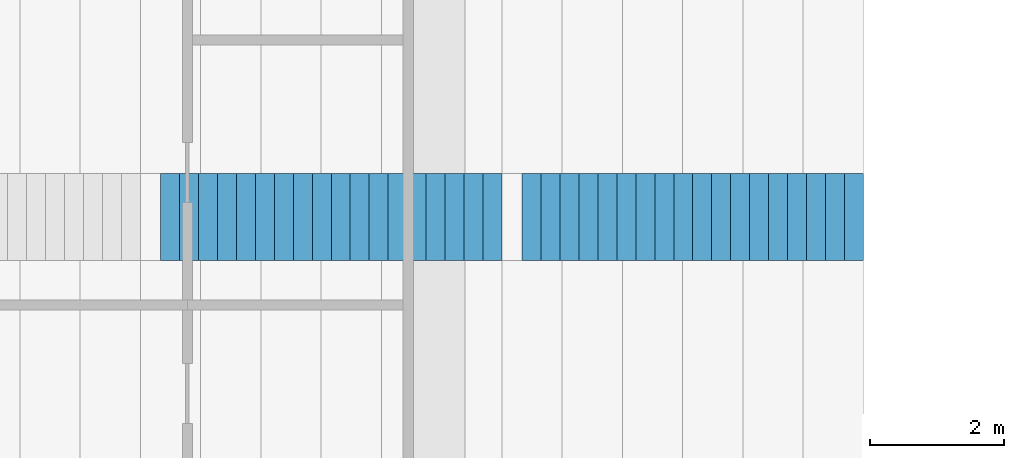
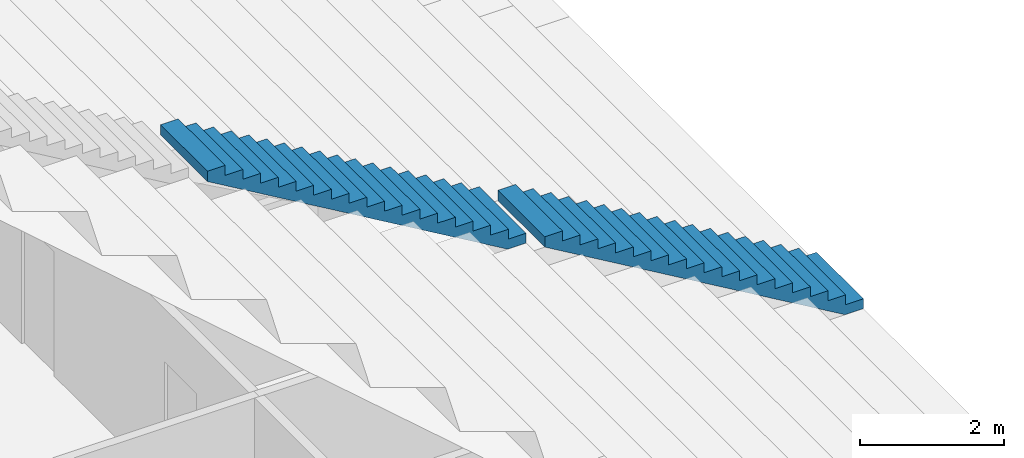
# One storey, part 162 of 249: 2 stair flights, 1 element without a shape of its own.
"""IFC4 building model written with IfcOpenShell, lengths in metres."""

from ifc_helpers import new_model, si_unit, direction, frame, origin, place, context, subcontext, project, spatial, faceted_brep, material, type_object, element, aggregate, save


model = new_model("IFC4")

# Units and contexts
model_context = context("Model", 3, precision=1e-05, world=origin(), true_north=direction((0.0, 1.0)))
body_context = subcontext(model_context, "Body", "Model", "MODEL_VIEW")
ifc_project = project(units=[si_unit("LENGTHUNIT", "METRE"), si_unit("AREAUNIT", "SQUARE_METRE"), si_unit("VOLUMEUNIT", "CUBIC_METRE"), si_unit("PLANEANGLEUNIT", "RADIAN"), si_unit("MASSUNIT", "GRAM", prefix="KILO")], contexts=[model_context])

# Site, building, storey
site_placement = place(None, origin())
site = spatial("IfcSite", under=ifc_project, at=site_placement, CompositionType="ELEMENT")
building_placement = place(site_placement, origin())
building = spatial("IfcBuilding", under=site, at=building_placement, Name="Ogive Plaza Stadium", CompositionType="ELEMENT")
storey_placement = place(building_placement, frame((0.0, 0.0, 13.5)))
storey = spatial("IfcBuildingStorey", under=building, at=storey_placement, Name="L03", CompositionType="ELEMENT", Elevation=13.5)

# Stair, stair flights
ifc_material_1 = material(Name="Concrete C40/50", Category="concrete")
stair_type = type_object("IfcStairType", Name="Aisle stair", PredefinedType="STRAIGHT_RUN_STAIR", material=ifc_material_1)
stair_placement = place(storey_placement, origin())
stair = element("IfcStair", 1, at=stair_placement, inside=storey, type_object=stair_type, Name="Aisle stair SA23U", PredefinedType="STRAIGHT_RUN_STAIR")
ifc_material_2 = material(Name="Concrete C40/50", Category="concrete")
stair_flight_type = type_object("IfcStairFlightType", Name="Aisle stair flight", PredefinedType="STRAIGHT", material=ifc_material_2)
stair_flight_1_placement = place(storey_placement, frame((-55.5, -15.0, 0.5), z_axis=(0.0, 0.0, 1.0), x_axis=(-1.0, 0.0, 0.0)))
stair_flight_1 = element("IfcStairFlight", 2, at=stair_flight_1_placement, type_object=stair_flight_type, Name="SA23U flight 1", NumberOfRisers=18, NumberOfTreads=17, PredefinedType="STRAIGHT", RiserHeight=0.166666667, TreadLength=0.283333333, context=body_context, shape_type="Brep", body=[
    faceted_brep([(0.295654296875, -0.64990234375, 0.0), (5.10009765625, -0.64990234375, 2.826171875), (5.10009765625, -0.64990234375, 3.0), (4.816650390625, -0.64990234375, 3.0), (4.816650390625, -0.64990234375, 2.833251953125), (4.533447265625, -0.64990234375, 2.833251953125), (4.533447265625, -0.64990234375, 2.666748046875), (4.25, -0.64990234375, 2.666748046875), (4.25, -0.64990234375, 2.5), (3.966552734375, -0.64990234375, 2.5), (3.966552734375, -0.64990234375, 2.333251953125), (3.683349609375, -0.64990234375, 2.333251953125), (3.683349609375, -0.64990234375, 2.166748046875), (3.39990234375, -0.64990234375, 2.166748046875), (3.39990234375, -0.64990234375, 2.0), (3.11669921875, -0.64990234375, 2.0), (3.11669921875, -0.64990234375, 1.833251953125), (2.833251953125, -0.64990234375, 1.833251953125), (2.833251953125, -0.64990234375, 1.666748046875), (2.550048828125, -0.64990234375, 1.666748046875), (2.550048828125, -0.64990234375, 1.5), (2.2666015625, -0.64990234375, 1.5), (2.2666015625, -0.64990234375, 1.333251953125), (1.9833984375, -0.64990234375, 1.333251953125), (1.9833984375, -0.64990234375, 1.166748046875), (1.699951171875, -0.64990234375, 1.166748046875), (1.699951171875, -0.64990234375, 1.0), (1.416748046875, -0.64990234375, 1.0), (1.416748046875, -0.64990234375, 0.833251953125), (1.13330078125, -0.64990234375, 0.833251953125), (1.13330078125, -0.64990234375, 0.666748046875), (0.85009765625, -0.64990234375, 0.666748046875), (0.85009765625, -0.64990234375, 0.5), (0.566650390625, -0.64990234375, 0.5), (0.566650390625, -0.64990234375, 0.333251953125), (0.283447265625, -0.64990234375, 0.333251953125), (0.283447265625, -0.64990234375, 0.166748046875), (0.0, -0.64990234375, 0.166748046875), (0.0, -0.64990234375, 0.0), (0.0, 0.64990234375, 0.0), (0.0, 0.64990234375, 0.166748046875), (0.283447265625, 0.64990234375, 0.166748046875), (0.283447265625, 0.64990234375, 0.333251953125), (0.566650390625, 0.64990234375, 0.333251953125), (0.566650390625, 0.64990234375, 0.5), (0.85009765625, 0.64990234375, 0.5), (0.85009765625, 0.64990234375, 0.666748046875), (1.13330078125, 0.64990234375, 0.666748046875), (1.13330078125, 0.64990234375, 0.833251953125), (1.416748046875, 0.64990234375, 0.833251953125), (1.416748046875, 0.64990234375, 1.0), (1.699951171875, 0.64990234375, 1.0), (1.699951171875, 0.64990234375, 1.166748046875), (1.9833984375, 0.64990234375, 1.166748046875), (1.9833984375, 0.64990234375, 1.333251953125), (2.2666015625, 0.64990234375, 1.333251953125), (2.2666015625, 0.64990234375, 1.5), (2.550048828125, 0.64990234375, 1.5), (2.550048828125, 0.64990234375, 1.666748046875), (2.833251953125, 0.64990234375, 1.666748046875), (2.833251953125, 0.64990234375, 1.833251953125), (3.11669921875, 0.64990234375, 1.833251953125), (3.11669921875, 0.64990234375, 2.0), (3.39990234375, 0.64990234375, 2.0), (3.39990234375, 0.64990234375, 2.166748046875), (3.683349609375, 0.64990234375, 2.166748046875), (3.683349609375, 0.64990234375, 2.333251953125), (3.966552734375, 0.64990234375, 2.333251953125), (3.966552734375, 0.64990234375, 2.5), (4.25, 0.64990234375, 2.5), (4.25, 0.64990234375, 2.666748046875), (4.533447265625, 0.64990234375, 2.666748046875), (4.533447265625, 0.64990234375, 2.833251953125), (4.816650390625, 0.64990234375, 2.833251953125), (4.816650390625, 0.64990234375, 3.0), (5.10009765625, 0.64990234375, 3.0), (5.10009765625, 0.64990234375, 2.826171875), (0.295654296875, 0.64990234375, 0.0), (0.295654296875, -0.324951171875, 0.0), (5.10009765625, -0.324951171875, 2.826171875), (0.295654296875, 0.0, 0.0), (5.10009765625, 0.0, 2.826171875), (0.295654296875, 0.324951171875, 0.0), (5.10009765625, 0.324951171875, 2.826171875), (5.10009765625, -0.324951171875, 3.0), (5.10009765625, 0.0, 3.0), (5.10009765625, 0.324951171875, 3.0), (4.816650390625, -0.324951171875, 3.0), (4.816650390625, 0.0, 3.0), (4.816650390625, 0.324951171875, 3.0), (4.816650390625, -0.324951171875, 2.833251953125), (4.816650390625, 0.0, 2.833251953125), (4.816650390625, 0.324951171875, 2.833251953125), (4.533447265625, -0.324951171875, 2.833251953125), (4.533447265625, 0.0, 2.833251953125), (4.533447265625, 0.324951171875, 2.833251953125), (4.533447265625, -0.324951171875, 2.666748046875), (4.533447265625, 0.0, 2.666748046875), (4.533447265625, 0.324951171875, 2.666748046875), (4.25, -0.324951171875, 2.666748046875), (4.25, 0.0, 2.666748046875), (4.25, 0.324951171875, 2.666748046875), (4.25, -0.324951171875, 2.5), (4.25, 0.0, 2.5), (4.25, 0.324951171875, 2.5), (3.966552734375, -0.324951171875, 2.5), (3.966552734375, 0.0, 2.5), (3.966552734375, 0.324951171875, 2.5), (3.966552734375, -0.324951171875, 2.333251953125), (3.966552734375, 0.0, 2.333251953125), (3.966552734375, 0.324951171875, 2.333251953125), (3.683349609375, -0.324951171875, 2.333251953125), (3.683349609375, 0.0, 2.333251953125), (3.683349609375, 0.324951171875, 2.333251953125), (3.683349609375, -0.324951171875, 2.166748046875), (3.683349609375, 0.0, 2.166748046875), (3.683349609375, 0.324951171875, 2.166748046875), (3.39990234375, -0.324951171875, 2.166748046875), (3.39990234375, 0.0, 2.166748046875), (3.39990234375, 0.324951171875, 2.166748046875), (3.39990234375, -0.324951171875, 2.0), (3.39990234375, 0.0, 2.0), (3.39990234375, 0.324951171875, 2.0), (3.11669921875, -0.324951171875, 2.0), (3.11669921875, 0.0, 2.0), (3.11669921875, 0.324951171875, 2.0), (3.11669921875, -0.324951171875, 1.833251953125), (3.11669921875, 0.0, 1.833251953125), (3.11669921875, 0.324951171875, 1.833251953125), (2.833251953125, -0.324951171875, 1.833251953125), (2.833251953125, 0.0, 1.833251953125), (2.833251953125, 0.324951171875, 1.833251953125), (2.833251953125, -0.324951171875, 1.666748046875), (2.833251953125, 0.0, 1.666748046875), (2.833251953125, 0.324951171875, 1.666748046875), (2.550048828125, -0.324951171875, 1.666748046875), (2.550048828125, 0.0, 1.666748046875), (2.550048828125, 0.324951171875, 1.666748046875), (2.550048828125, -0.324951171875, 1.5), (2.550048828125, 0.0, 1.5), (2.550048828125, 0.324951171875, 1.5), (2.2666015625, -0.324951171875, 1.5), (2.2666015625, 0.0, 1.5), (2.2666015625, 0.324951171875, 1.5), (2.2666015625, -0.324951171875, 1.333251953125), (2.2666015625, 0.0, 1.333251953125), (2.2666015625, 0.324951171875, 1.333251953125), (1.9833984375, -0.324951171875, 1.333251953125), (1.9833984375, 0.0, 1.333251953125), (1.9833984375, 0.324951171875, 1.333251953125), (1.9833984375, -0.324951171875, 1.166748046875), (1.9833984375, 0.0, 1.166748046875), (1.9833984375, 0.324951171875, 1.166748046875), (1.699951171875, -0.324951171875, 1.166748046875), (1.699951171875, 0.0, 1.166748046875), (1.699951171875, 0.324951171875, 1.166748046875), (1.699951171875, -0.324951171875, 1.0), (1.699951171875, 0.0, 1.0), (1.699951171875, 0.324951171875, 1.0), (1.416748046875, -0.324951171875, 1.0), (1.416748046875, 0.0, 1.0), (1.416748046875, 0.324951171875, 1.0), (1.416748046875, -0.324951171875, 0.833251953125), (1.416748046875, 0.0, 0.833251953125), (1.416748046875, 0.324951171875, 0.833251953125), (1.13330078125, -0.324951171875, 0.833251953125), (1.13330078125, 0.0, 0.833251953125), (1.13330078125, 0.324951171875, 0.833251953125), (1.13330078125, -0.324951171875, 0.666748046875), (1.13330078125, 0.0, 0.666748046875), (1.13330078125, 0.324951171875, 0.666748046875), (0.85009765625, -0.324951171875, 0.666748046875), (0.85009765625, 0.0, 0.666748046875), (0.85009765625, 0.324951171875, 0.666748046875), (0.85009765625, -0.324951171875, 0.5), (0.85009765625, 0.0, 0.5), (0.85009765625, 0.324951171875, 0.5), (0.566650390625, -0.324951171875, 0.5), (0.566650390625, 0.0, 0.5), (0.566650390625, 0.324951171875, 0.5), (0.566650390625, -0.324951171875, 0.333251953125), (0.566650390625, 0.0, 0.333251953125), (0.566650390625, 0.324951171875, 0.333251953125), (0.283447265625, -0.324951171875, 0.333251953125), (0.283447265625, 0.0, 0.333251953125), (0.283447265625, 0.324951171875, 0.333251953125), (0.283447265625, -0.324951171875, 0.166748046875), (0.283447265625, 0.0, 0.166748046875), (0.283447265625, 0.324951171875, 0.166748046875), (0.0, -0.324951171875, 0.166748046875), (0.0, 0.0, 0.166748046875), (0.0, 0.324951171875, 0.166748046875), (0.0, -0.324951171875, 0.0), (0.0, 0.0, 0.0), (0.0, 0.324951171875, 0.0)], [[[0, 1, 2, 3, 4, 5, 6, 7, 8, 9, 10, 11, 12, 13, 14, 15, 16, 17, 18, 19, 20, 21, 22, 23, 24, 25, 26, 27, 28, 29, 30, 31, 32, 33, 34, 35, 36, 37, 38]], [[39, 40, 41, 42, 43, 44, 45, 46, 47, 48, 49, 50, 51, 52, 53, 54, 55, 56, 57, 58, 59, 60, 61, 62, 63, 64, 65, 66, 67, 68, 69, 70, 71, 72, 73, 74, 75, 76, 77]], [[0, 78, 79, 1]], [[78, 80, 81, 79]], [[80, 82, 83, 81]], [[82, 77, 76, 83]], [[1, 79, 84, 2]], [[79, 81, 85, 84]], [[81, 83, 86, 85]], [[83, 76, 75, 86]], [[2, 84, 87, 3]], [[84, 85, 88, 87]], [[85, 86, 89, 88]], [[86, 75, 74, 89]], [[3, 87, 90, 4]], [[87, 88, 91, 90]], [[88, 89, 92, 91]], [[89, 74, 73, 92]], [[4, 90, 93, 5]], [[90, 91, 94, 93]], [[91, 92, 95, 94]], [[92, 73, 72, 95]], [[5, 93, 96, 6]], [[93, 94, 97, 96]], [[94, 95, 98, 97]], [[95, 72, 71, 98]], [[6, 96, 99, 7]], [[96, 97, 100, 99]], [[97, 98, 101, 100]], [[98, 71, 70, 101]], [[7, 99, 102, 8]], [[99, 100, 103, 102]], [[100, 101, 104, 103]], [[101, 70, 69, 104]], [[8, 102, 105, 9]], [[102, 103, 106, 105]], [[103, 104, 107, 106]], [[104, 69, 68, 107]], [[9, 105, 108, 10]], [[105, 106, 109, 108]], [[106, 107, 110, 109]], [[107, 68, 67, 110]], [[10, 108, 111, 11]], [[108, 109, 112, 111]], [[109, 110, 113, 112]], [[110, 67, 66, 113]], [[11, 111, 114, 12]], [[111, 112, 115, 114]], [[112, 113, 116, 115]], [[113, 66, 65, 116]], [[12, 114, 117, 13]], [[114, 115, 118, 117]], [[115, 116, 119, 118]], [[116, 65, 64, 119]], [[13, 117, 120, 14]], [[117, 118, 121, 120]], [[118, 119, 122, 121]], [[119, 64, 63, 122]], [[14, 120, 123, 15]], [[120, 121, 124, 123]], [[121, 122, 125, 124]], [[122, 63, 62, 125]], [[15, 123, 126, 16]], [[123, 124, 127, 126]], [[124, 125, 128, 127]], [[125, 62, 61, 128]], [[16, 126, 129, 17]], [[126, 127, 130, 129]], [[127, 128, 131, 130]], [[128, 61, 60, 131]], [[17, 129, 132, 18]], [[129, 130, 133, 132]], [[130, 131, 134, 133]], [[131, 60, 59, 134]], [[18, 132, 135, 19]], [[132, 133, 136, 135]], [[133, 134, 137, 136]], [[134, 59, 58, 137]], [[19, 135, 138, 20]], [[135, 136, 139, 138]], [[136, 137, 140, 139]], [[137, 58, 57, 140]], [[20, 138, 141, 21]], [[138, 139, 142, 141]], [[139, 140, 143, 142]], [[140, 57, 56, 143]], [[21, 141, 144, 22]], [[141, 142, 145, 144]], [[142, 143, 146, 145]], [[143, 56, 55, 146]], [[22, 144, 147, 23]], [[144, 145, 148, 147]], [[145, 146, 149, 148]], [[146, 55, 54, 149]], [[23, 147, 150, 24]], [[147, 148, 151, 150]], [[148, 149, 152, 151]], [[149, 54, 53, 152]], [[24, 150, 153, 25]], [[150, 151, 154, 153]], [[151, 152, 155, 154]], [[152, 53, 52, 155]], [[25, 153, 156, 26]], [[153, 154, 157, 156]], [[154, 155, 158, 157]], [[155, 52, 51, 158]], [[26, 156, 159, 27]], [[156, 157, 160, 159]], [[157, 158, 161, 160]], [[158, 51, 50, 161]], [[27, 159, 162, 28]], [[159, 160, 163, 162]], [[160, 161, 164, 163]], [[161, 50, 49, 164]], [[28, 162, 165, 29]], [[162, 163, 166, 165]], [[163, 164, 167, 166]], [[164, 49, 48, 167]], [[29, 165, 168, 30]], [[165, 166, 169, 168]], [[166, 167, 170, 169]], [[167, 48, 47, 170]], [[30, 168, 171, 31]], [[168, 169, 172, 171]], [[169, 170, 173, 172]], [[170, 47, 46, 173]], [[31, 171, 174, 32]], [[171, 172, 175, 174]], [[172, 173, 176, 175]], [[173, 46, 45, 176]], [[32, 174, 177, 33]], [[174, 175, 178, 177]], [[175, 176, 179, 178]], [[176, 45, 44, 179]], [[33, 177, 180, 34]], [[177, 178, 181, 180]], [[178, 179, 182, 181]], [[179, 44, 43, 182]], [[34, 180, 183, 35]], [[180, 181, 184, 183]], [[181, 182, 185, 184]], [[182, 43, 42, 185]], [[35, 183, 186, 36]], [[183, 184, 187, 186]], [[184, 185, 188, 187]], [[185, 42, 41, 188]], [[36, 186, 189, 37]], [[186, 187, 190, 189]], [[187, 188, 191, 190]], [[188, 41, 40, 191]], [[37, 189, 192, 38]], [[189, 190, 193, 192]], [[190, 191, 194, 193]], [[191, 40, 39, 194]], [[38, 192, 78, 0]], [[192, 193, 80, 78]], [[193, 194, 82, 80]], [[194, 39, 77, 82]]]),
])
stair_flight_2_placement = place(storey_placement, frame((-60.89990234375, -15.0, 3.5), z_axis=(0.0, 0.0, 1.0), x_axis=(-1.0, 0.0, 0.0)))
stair_flight_2 = element("IfcStairFlight", 3, at=stair_flight_2_placement, type_object=stair_flight_type, Name="SA23U flight 2", NumberOfRisers=18, NumberOfTreads=17, PredefinedType="STRAIGHT", RiserHeight=0.166666667, TreadLength=0.283333333, context=body_context, shape_type="Brep", body=[
    faceted_brep([(0.295654296875, -0.64990234375, 0.0), (5.10009765625, -0.64990234375, 2.826171875), (5.10009765625, -0.64990234375, 3.0), (4.816650390625, -0.64990234375, 3.0), (4.816650390625, -0.64990234375, 2.833251953125), (4.533447265625, -0.64990234375, 2.833251953125), (4.533447265625, -0.64990234375, 2.666748046875), (4.25, -0.64990234375, 2.666748046875), (4.25, -0.64990234375, 2.5), (3.966552734375, -0.64990234375, 2.5), (3.966552734375, -0.64990234375, 2.333251953125), (3.683349609375, -0.64990234375, 2.333251953125), (3.683349609375, -0.64990234375, 2.166748046875), (3.39990234375, -0.64990234375, 2.166748046875), (3.39990234375, -0.64990234375, 2.0), (3.11669921875, -0.64990234375, 2.0), (3.11669921875, -0.64990234375, 1.833251953125), (2.833251953125, -0.64990234375, 1.833251953125), (2.833251953125, -0.64990234375, 1.666748046875), (2.550048828125, -0.64990234375, 1.666748046875), (2.550048828125, -0.64990234375, 1.5), (2.2666015625, -0.64990234375, 1.5), (2.2666015625, -0.64990234375, 1.333251953125), (1.9833984375, -0.64990234375, 1.333251953125), (1.9833984375, -0.64990234375, 1.166748046875), (1.699951171875, -0.64990234375, 1.166748046875), (1.699951171875, -0.64990234375, 1.0), (1.416748046875, -0.64990234375, 1.0), (1.416748046875, -0.64990234375, 0.833251953125), (1.13330078125, -0.64990234375, 0.833251953125), (1.13330078125, -0.64990234375, 0.666748046875), (0.85009765625, -0.64990234375, 0.666748046875), (0.85009765625, -0.64990234375, 0.5), (0.566650390625, -0.64990234375, 0.5), (0.566650390625, -0.64990234375, 0.333251953125), (0.283447265625, -0.64990234375, 0.333251953125), (0.283447265625, -0.64990234375, 0.166748046875), (0.0, -0.64990234375, 0.166748046875), (0.0, -0.64990234375, 0.0), (0.0, 0.64990234375, 0.0), (0.0, 0.64990234375, 0.166748046875), (0.283447265625, 0.64990234375, 0.166748046875), (0.283447265625, 0.64990234375, 0.333251953125), (0.566650390625, 0.64990234375, 0.333251953125), (0.566650390625, 0.64990234375, 0.5), (0.85009765625, 0.64990234375, 0.5), (0.85009765625, 0.64990234375, 0.666748046875), (1.13330078125, 0.64990234375, 0.666748046875), (1.13330078125, 0.64990234375, 0.833251953125), (1.416748046875, 0.64990234375, 0.833251953125), (1.416748046875, 0.64990234375, 1.0), (1.699951171875, 0.64990234375, 1.0), (1.699951171875, 0.64990234375, 1.166748046875), (1.9833984375, 0.64990234375, 1.166748046875), (1.9833984375, 0.64990234375, 1.333251953125), (2.2666015625, 0.64990234375, 1.333251953125), (2.2666015625, 0.64990234375, 1.5), (2.550048828125, 0.64990234375, 1.5), (2.550048828125, 0.64990234375, 1.666748046875), (2.833251953125, 0.64990234375, 1.666748046875), (2.833251953125, 0.64990234375, 1.833251953125), (3.11669921875, 0.64990234375, 1.833251953125), (3.11669921875, 0.64990234375, 2.0), (3.39990234375, 0.64990234375, 2.0), (3.39990234375, 0.64990234375, 2.166748046875), (3.683349609375, 0.64990234375, 2.166748046875), (3.683349609375, 0.64990234375, 2.333251953125), (3.966552734375, 0.64990234375, 2.333251953125), (3.966552734375, 0.64990234375, 2.5), (4.25, 0.64990234375, 2.5), (4.25, 0.64990234375, 2.666748046875), (4.533447265625, 0.64990234375, 2.666748046875), (4.533447265625, 0.64990234375, 2.833251953125), (4.816650390625, 0.64990234375, 2.833251953125), (4.816650390625, 0.64990234375, 3.0), (5.10009765625, 0.64990234375, 3.0), (5.10009765625, 0.64990234375, 2.826171875), (0.295654296875, 0.64990234375, 0.0), (0.295654296875, -0.324951171875, 0.0), (5.10009765625, -0.324951171875, 2.826171875), (0.295654296875, 0.0, 0.0), (5.10009765625, 0.0, 2.826171875), (0.295654296875, 0.324951171875, 0.0), (5.10009765625, 0.324951171875, 2.826171875), (5.10009765625, -0.324951171875, 3.0), (5.10009765625, 0.0, 3.0), (5.10009765625, 0.324951171875, 3.0), (4.816650390625, -0.324951171875, 3.0), (4.816650390625, 0.0, 3.0), (4.816650390625, 0.324951171875, 3.0), (4.816650390625, -0.324951171875, 2.833251953125), (4.816650390625, 0.0, 2.833251953125), (4.816650390625, 0.324951171875, 2.833251953125), (4.533447265625, -0.324951171875, 2.833251953125), (4.533447265625, 0.0, 2.833251953125), (4.533447265625, 0.324951171875, 2.833251953125), (4.533447265625, -0.324951171875, 2.666748046875), (4.533447265625, 0.0, 2.666748046875), (4.533447265625, 0.324951171875, 2.666748046875), (4.25, -0.324951171875, 2.666748046875), (4.25, 0.0, 2.666748046875), (4.25, 0.324951171875, 2.666748046875), (4.25, -0.324951171875, 2.5), (4.25, 0.0, 2.5), (4.25, 0.324951171875, 2.5), (3.966552734375, -0.324951171875, 2.5), (3.966552734375, 0.0, 2.5), (3.966552734375, 0.324951171875, 2.5), (3.966552734375, -0.324951171875, 2.333251953125), (3.966552734375, 0.0, 2.333251953125), (3.966552734375, 0.324951171875, 2.333251953125), (3.683349609375, -0.324951171875, 2.333251953125), (3.683349609375, 0.0, 2.333251953125), (3.683349609375, 0.324951171875, 2.333251953125), (3.683349609375, -0.324951171875, 2.166748046875), (3.683349609375, 0.0, 2.166748046875), (3.683349609375, 0.324951171875, 2.166748046875), (3.39990234375, -0.324951171875, 2.166748046875), (3.39990234375, 0.0, 2.166748046875), (3.39990234375, 0.324951171875, 2.166748046875), (3.39990234375, -0.324951171875, 2.0), (3.39990234375, 0.0, 2.0), (3.39990234375, 0.324951171875, 2.0), (3.11669921875, -0.324951171875, 2.0), (3.11669921875, 0.0, 2.0), (3.11669921875, 0.324951171875, 2.0), (3.11669921875, -0.324951171875, 1.833251953125), (3.11669921875, 0.0, 1.833251953125), (3.11669921875, 0.324951171875, 1.833251953125), (2.833251953125, -0.324951171875, 1.833251953125), (2.833251953125, 0.0, 1.833251953125), (2.833251953125, 0.324951171875, 1.833251953125), (2.833251953125, -0.324951171875, 1.666748046875), (2.833251953125, 0.0, 1.666748046875), (2.833251953125, 0.324951171875, 1.666748046875), (2.550048828125, -0.324951171875, 1.666748046875), (2.550048828125, 0.0, 1.666748046875), (2.550048828125, 0.324951171875, 1.666748046875), (2.550048828125, -0.324951171875, 1.5), (2.550048828125, 0.0, 1.5), (2.550048828125, 0.324951171875, 1.5), (2.2666015625, -0.324951171875, 1.5), (2.2666015625, 0.0, 1.5), (2.2666015625, 0.324951171875, 1.5), (2.2666015625, -0.324951171875, 1.333251953125), (2.2666015625, 0.0, 1.333251953125), (2.2666015625, 0.324951171875, 1.333251953125), (1.9833984375, -0.324951171875, 1.333251953125), (1.9833984375, 0.0, 1.333251953125), (1.9833984375, 0.324951171875, 1.333251953125), (1.9833984375, -0.324951171875, 1.166748046875), (1.9833984375, 0.0, 1.166748046875), (1.9833984375, 0.324951171875, 1.166748046875), (1.699951171875, -0.324951171875, 1.166748046875), (1.699951171875, 0.0, 1.166748046875), (1.699951171875, 0.324951171875, 1.166748046875), (1.699951171875, -0.324951171875, 1.0), (1.699951171875, 0.0, 1.0), (1.699951171875, 0.324951171875, 1.0), (1.416748046875, -0.324951171875, 1.0), (1.416748046875, 0.0, 1.0), (1.416748046875, 0.324951171875, 1.0), (1.416748046875, -0.324951171875, 0.833251953125), (1.416748046875, 0.0, 0.833251953125), (1.416748046875, 0.324951171875, 0.833251953125), (1.13330078125, -0.324951171875, 0.833251953125), (1.13330078125, 0.0, 0.833251953125), (1.13330078125, 0.324951171875, 0.833251953125), (1.13330078125, -0.324951171875, 0.666748046875), (1.13330078125, 0.0, 0.666748046875), (1.13330078125, 0.324951171875, 0.666748046875), (0.85009765625, -0.324951171875, 0.666748046875), (0.85009765625, 0.0, 0.666748046875), (0.85009765625, 0.324951171875, 0.666748046875), (0.85009765625, -0.324951171875, 0.5), (0.85009765625, 0.0, 0.5), (0.85009765625, 0.324951171875, 0.5), (0.566650390625, -0.324951171875, 0.5), (0.566650390625, 0.0, 0.5), (0.566650390625, 0.324951171875, 0.5), (0.566650390625, -0.324951171875, 0.333251953125), (0.566650390625, 0.0, 0.333251953125), (0.566650390625, 0.324951171875, 0.333251953125), (0.283447265625, -0.324951171875, 0.333251953125), (0.283447265625, 0.0, 0.333251953125), (0.283447265625, 0.324951171875, 0.333251953125), (0.283447265625, -0.324951171875, 0.166748046875), (0.283447265625, 0.0, 0.166748046875), (0.283447265625, 0.324951171875, 0.166748046875), (0.0, -0.324951171875, 0.166748046875), (0.0, 0.0, 0.166748046875), (0.0, 0.324951171875, 0.166748046875), (0.0, -0.324951171875, 0.0), (0.0, 0.0, 0.0), (0.0, 0.324951171875, 0.0)], [[[0, 1, 2, 3, 4, 5, 6, 7, 8, 9, 10, 11, 12, 13, 14, 15, 16, 17, 18, 19, 20, 21, 22, 23, 24, 25, 26, 27, 28, 29, 30, 31, 32, 33, 34, 35, 36, 37, 38]], [[39, 40, 41, 42, 43, 44, 45, 46, 47, 48, 49, 50, 51, 52, 53, 54, 55, 56, 57, 58, 59, 60, 61, 62, 63, 64, 65, 66, 67, 68, 69, 70, 71, 72, 73, 74, 75, 76, 77]], [[0, 78, 79, 1]], [[78, 80, 81, 79]], [[80, 82, 83, 81]], [[82, 77, 76, 83]], [[1, 79, 84, 2]], [[79, 81, 85, 84]], [[81, 83, 86, 85]], [[83, 76, 75, 86]], [[2, 84, 87, 3]], [[84, 85, 88, 87]], [[85, 86, 89, 88]], [[86, 75, 74, 89]], [[3, 87, 90, 4]], [[87, 88, 91, 90]], [[88, 89, 92, 91]], [[89, 74, 73, 92]], [[4, 90, 93, 5]], [[90, 91, 94, 93]], [[91, 92, 95, 94]], [[92, 73, 72, 95]], [[5, 93, 96, 6]], [[93, 94, 97, 96]], [[94, 95, 98, 97]], [[95, 72, 71, 98]], [[6, 96, 99, 7]], [[96, 97, 100, 99]], [[97, 98, 101, 100]], [[98, 71, 70, 101]], [[7, 99, 102, 8]], [[99, 100, 103, 102]], [[100, 101, 104, 103]], [[101, 70, 69, 104]], [[8, 102, 105, 9]], [[102, 103, 106, 105]], [[103, 104, 107, 106]], [[104, 69, 68, 107]], [[9, 105, 108, 10]], [[105, 106, 109, 108]], [[106, 107, 110, 109]], [[107, 68, 67, 110]], [[10, 108, 111, 11]], [[108, 109, 112, 111]], [[109, 110, 113, 112]], [[110, 67, 66, 113]], [[11, 111, 114, 12]], [[111, 112, 115, 114]], [[112, 113, 116, 115]], [[113, 66, 65, 116]], [[12, 114, 117, 13]], [[114, 115, 118, 117]], [[115, 116, 119, 118]], [[116, 65, 64, 119]], [[13, 117, 120, 14]], [[117, 118, 121, 120]], [[118, 119, 122, 121]], [[119, 64, 63, 122]], [[14, 120, 123, 15]], [[120, 121, 124, 123]], [[121, 122, 125, 124]], [[122, 63, 62, 125]], [[15, 123, 126, 16]], [[123, 124, 127, 126]], [[124, 125, 128, 127]], [[125, 62, 61, 128]], [[16, 126, 129, 17]], [[126, 127, 130, 129]], [[127, 128, 131, 130]], [[128, 61, 60, 131]], [[17, 129, 132, 18]], [[129, 130, 133, 132]], [[130, 131, 134, 133]], [[131, 60, 59, 134]], [[18, 132, 135, 19]], [[132, 133, 136, 135]], [[133, 134, 137, 136]], [[134, 59, 58, 137]], [[19, 135, 138, 20]], [[135, 136, 139, 138]], [[136, 137, 140, 139]], [[137, 58, 57, 140]], [[20, 138, 141, 21]], [[138, 139, 142, 141]], [[139, 140, 143, 142]], [[140, 57, 56, 143]], [[21, 141, 144, 22]], [[141, 142, 145, 144]], [[142, 143, 146, 145]], [[143, 56, 55, 146]], [[22, 144, 147, 23]], [[144, 145, 148, 147]], [[145, 146, 149, 148]], [[146, 55, 54, 149]], [[23, 147, 150, 24]], [[147, 148, 151, 150]], [[148, 149, 152, 151]], [[149, 54, 53, 152]], [[24, 150, 153, 25]], [[150, 151, 154, 153]], [[151, 152, 155, 154]], [[152, 53, 52, 155]], [[25, 153, 156, 26]], [[153, 154, 157, 156]], [[154, 155, 158, 157]], [[155, 52, 51, 158]], [[26, 156, 159, 27]], [[156, 157, 160, 159]], [[157, 158, 161, 160]], [[158, 51, 50, 161]], [[27, 159, 162, 28]], [[159, 160, 163, 162]], [[160, 161, 164, 163]], [[161, 50, 49, 164]], [[28, 162, 165, 29]], [[162, 163, 166, 165]], [[163, 164, 167, 166]], [[164, 49, 48, 167]], [[29, 165, 168, 30]], [[165, 166, 169, 168]], [[166, 167, 170, 169]], [[167, 48, 47, 170]], [[30, 168, 171, 31]], [[168, 169, 172, 171]], [[169, 170, 173, 172]], [[170, 47, 46, 173]], [[31, 171, 174, 32]], [[171, 172, 175, 174]], [[172, 173, 176, 175]], [[173, 46, 45, 176]], [[32, 174, 177, 33]], [[174, 175, 178, 177]], [[175, 176, 179, 178]], [[176, 45, 44, 179]], [[33, 177, 180, 34]], [[177, 178, 181, 180]], [[178, 179, 182, 181]], [[179, 44, 43, 182]], [[34, 180, 183, 35]], [[180, 181, 184, 183]], [[181, 182, 185, 184]], [[182, 43, 42, 185]], [[35, 183, 186, 36]], [[183, 184, 187, 186]], [[184, 185, 188, 187]], [[185, 42, 41, 188]], [[36, 186, 189, 37]], [[186, 187, 190, 189]], [[187, 188, 191, 190]], [[188, 41, 40, 191]], [[37, 189, 192, 38]], [[189, 190, 193, 192]], [[190, 191, 194, 193]], [[191, 40, 39, 194]], [[38, 192, 78, 0]], [[192, 193, 80, 78]], [[193, 194, 82, 80]], [[194, 39, 77, 82]]]),
])
aggregate(stair, [stair_flight_1, stair_flight_2])

save(model, "model.ifc")
